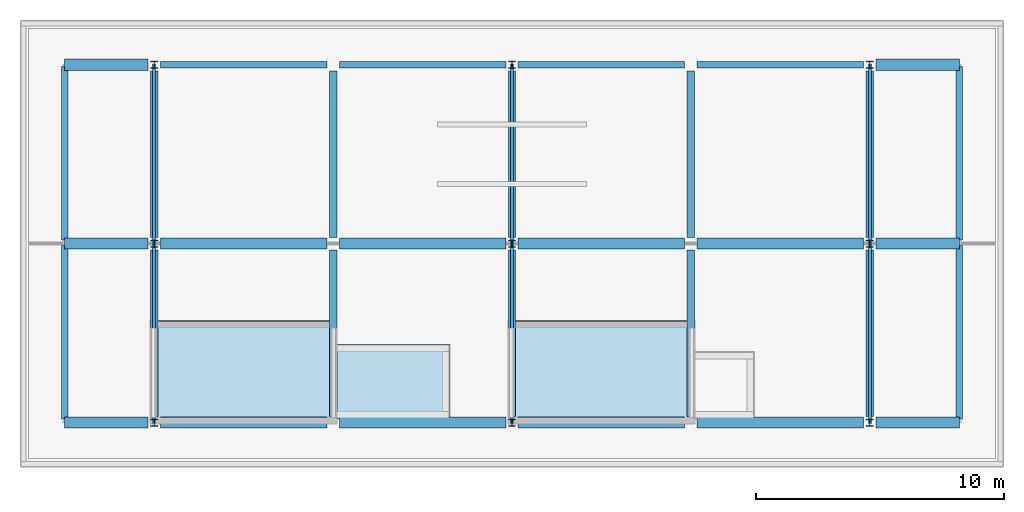
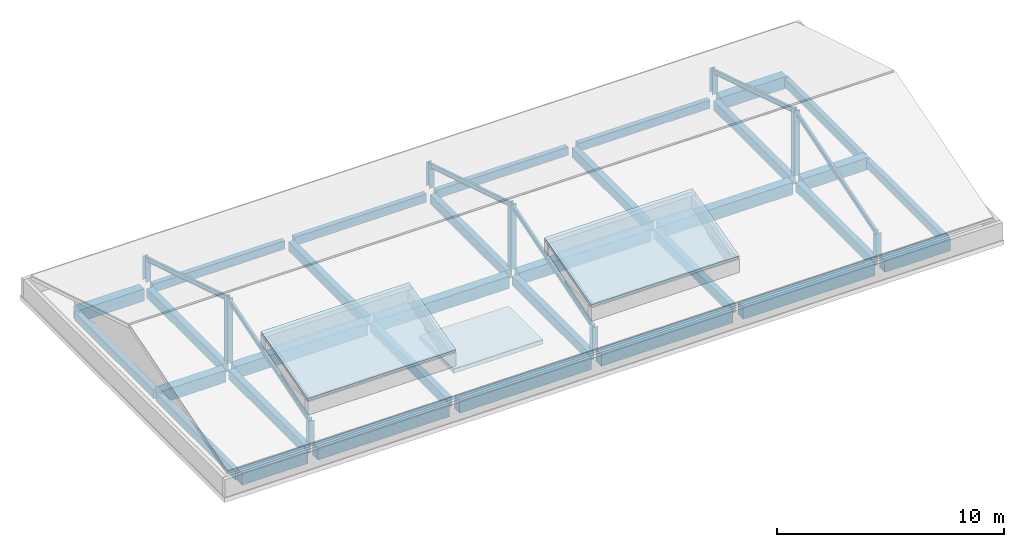
# One storey, part 1 of 3: 38 beams, 9 columns, 3 slabs.
"""IFC4 building model written with IfcOpenShell, lengths in metres."""

import ifcopenshell
import ifcopenshell.guid

model = None  # the IFC model being written
_history = None  # IfcOwnerHistory: only IFC2X3 demands one
_inside = {}  # id of a spatial element -> (the spatial element, [elements in it])
_under = {}  # id of a project, library or spatial element -> (it, [spatial elements below it])
_declared = {}  # id of a project -> (the project, [libraries it declares])
_typed = {}  # id of a type object -> (the type object, [elements of that type])
_made_of = {}  # id of a material, layer set ... -> (it, [elements and type objects made of it])


def new_model(schema):
    """Start an empty IFC model of exactly this schema.

    Asked for "IFC4X3", IfcOpenShell would pick the latest addendum, in which some entities
    have other attributes; the version numbers below select the first issue.
    IFC2X3 requires an IfcOwnerHistory on every rooted entity: one is made here for all.
    """
    global model, _history
    if schema == "IFC4X3":
        model = ifcopenshell.file(schema_version=(4, 3, 0, 0))
    else:
        model = ifcopenshell.file(schema=schema)
    _inside.clear()
    _under.clear()
    _declared.clear()
    _typed.clear()
    _made_of.clear()
    _history = None
    if model.schema == "IFC2X3":
        org = make("IfcOrganization", Name="unknown")
        user = make(
            "IfcPersonAndOrganization",
            ThePerson=make("IfcPerson", FamilyName="unknown"),
            TheOrganization=org,
        )
        app = make(
            "IfcApplication",
            ApplicationDeveloper=org,
            Version="unknown",
            ApplicationFullName="unknown",
            ApplicationIdentifier="unknown",
        )
        _history = make(
            "IfcOwnerHistory",
            OwningUser=user,
            OwningApplication=app,
            ChangeAction="ADDED",
            CreationDate=0,
        )
    return model


def make(cls, **values):
    """One entity of the class cls with the attributes given. An attribute that is None is left unset."""
    return model.create_entity(
        cls, **{name: value for name, value in values.items() if value is not None}
    )


def rooted(cls, **values):
    """An entity with a GlobalId (a new one), such as an element, a storey or a relation."""
    return make(cls, GlobalId=ifcopenshell.guid.new(), OwnerHistory=_history, **values)


def si_unit(unit_type, name, prefix=None):
    """IfcSIUnit, for example si_unit("LENGTHUNIT", "METRE", prefix="MILLI")."""
    return make("IfcSIUnit", UnitType=unit_type, Prefix=prefix, Name=name)


def assignment(units):
    """IfcUnitAssignment: the units of a project."""
    return None if units is None else make("IfcUnitAssignment", Units=units)


def point(xyz):
    """IfcCartesianPoint."""
    return None if xyz is None else make("IfcCartesianPoint", Coordinates=xyz)


def direction(xyz):
    """IfcDirection."""
    return None if xyz is None else make("IfcDirection", DirectionRatios=xyz)


def frame(location, z_axis=None, x_axis=None):
    """IfcAxis2Placement3D, a coordinate frame: its origin and axes. An axis left out is left unset."""
    return make(
        "IfcAxis2Placement3D",
        Location=point(location),
        Axis=direction(z_axis),
        RefDirection=direction(x_axis),
    )


def frame_2d(location, x_axis=None):
    """IfcAxis2Placement2D, a coordinate frame in the plane: its origin and x axis."""
    return make(
        "IfcAxis2Placement2D", Location=point(location), RefDirection=direction(x_axis)
    )


def origin():
    """The frame at (0, 0, 0) with its axes left unset."""
    return frame((0.0, 0.0, 0.0))


def origin_2d():
    """The frame at (0, 0) in the plane with its x axis left unset."""
    return frame_2d((0.0, 0.0))


def place(relative_to, where):
    """IfcLocalPlacement: puts the frame where relative to a parent placement (None: the world)."""
    return make(
        "IfcLocalPlacement", PlacementRelTo=relative_to, RelativePlacement=where
    )


def context(
    kind, dimensions, precision=None, world=None, true_north=None, identifier=None
):
    """IfcGeometricRepresentationContext, for example the 3D "Model" context."""
    return make(
        "IfcGeometricRepresentationContext",
        ContextIdentifier=identifier,
        ContextType=kind,
        CoordinateSpaceDimension=dimensions,
        Precision=precision,
        WorldCoordinateSystem=world,
        TrueNorth=true_north,
    )


def subcontext(parent, identifier, kind, view, scale=None):
    """IfcGeometricRepresentationSubContext, for example "Body" below "Model"."""
    return make(
        "IfcGeometricRepresentationSubContext",
        ContextIdentifier=identifier,
        ContextType=kind,
        ParentContext=parent,
        TargetScale=scale,
        TargetView=view,
    )


def project(units=None, contexts=None):
    """IfcProject with its units and contexts."""
    return rooted(
        "IfcProject",
        Name="project",
        RepresentationContexts=contexts,
        UnitsInContext=assignment(units),
    )


def spatial(cls, under=None, at=None, **own):
    """A site, building, storey or space (cls), placed at a placement, below another one or the project."""
    s = rooted(cls, ObjectPlacement=at, **own)
    if under is not None:
        _under.setdefault(under.id(), (under, []))[1].append(s)
    return s


def polyline(points):
    """IfcPolyline through the points."""
    return make("IfcPolyline", Points=[point(p) for p in points])


def profile(cls, at=None, kind="AREA", **sizes):
    """A parametric profile (cls). Its sizes go by their IFC names, for example OverallWidth=200.0."""
    return make(cls, ProfileType=kind, Position=at, **sizes)


def rectangle(**sizes):
    """IfcRectangleProfileDef."""
    return profile("IfcRectangleProfileDef", **sizes)


def i_section(**sizes):
    """IfcIShapeProfileDef."""
    return profile("IfcIShapeProfileDef", **sizes)


def outline(outer, holes=None, kind="AREA"):
    """IfcArbitraryClosedProfileDef: a profile drawn as a closed curve; with holes, ...WithVoids."""
    if holes is None:
        return make("IfcArbitraryClosedProfileDef", ProfileType=kind, OuterCurve=outer)
    return make(
        "IfcArbitraryProfileDefWithVoids",
        ProfileType=kind,
        OuterCurve=outer,
        InnerCurves=holes,
    )


def extrude(swept, where, along, depth):
    """IfcExtrudedAreaSolid: the profile swept, set in the frame where, extruded along a direction by depth."""
    return make(
        "IfcExtrudedAreaSolid",
        SweptArea=swept,
        Position=where,
        ExtrudedDirection=direction(along),
        Depth=depth,
    )


def shape(context_of_items, identifier, shape_type, items):
    """IfcShapeRepresentation: the items that make up one representation, for example the "Body"."""
    return make(
        "IfcShapeRepresentation",
        ContextOfItems=context_of_items,
        RepresentationIdentifier=identifier,
        RepresentationType=shape_type,
        Items=items,
    )


def material(Name=None, Category=None):
    """IfcMaterial."""
    return make("IfcMaterial", Name=Name, Category=Category)


def layer(
    of_material, thickness, ventilated=None, Name=None, Category=None, Priority=None
):
    """IfcMaterialLayer: one layer of a wall or slab, of a material (None: an air gap)."""
    return make(
        "IfcMaterialLayer",
        Material=of_material,
        LayerThickness=thickness,
        IsVentilated=ventilated,
        Name=Name,
        Category=Category,
        Priority=Priority,
    )


def layer_set(layers, Name=None):
    """IfcMaterialLayerSet."""
    return make("IfcMaterialLayerSet", MaterialLayers=layers, LayerSetName=Name)


def material_profile(
    of_material, cross_section, Name=None, Category=None, Priority=None
):
    """IfcMaterialProfile: a cross section and its material."""
    return make(
        "IfcMaterialProfile",
        Name=Name,
        Material=of_material,
        Profile=cross_section,
        Priority=Priority,
        Category=Category,
    )


def profile_set(profiles, Name=None, composite=None):
    """IfcMaterialProfileSet."""
    return make(
        "IfcMaterialProfileSet",
        Name=Name,
        MaterialProfiles=profiles,
        CompositeProfile=composite,
    )


def made_of(thing, what):
    """Note that an element or type object is made of a material, layer set ...; save() writes the relation."""
    if what is not None:
        _made_of.setdefault(what.id(), (what, []))[1].append(thing)
    return thing


def type_object(cls, material=None, **own):
    """A type object (cls), such as IfcWallType, which elements share."""
    return made_of(rooted(cls, **own), material)


def element(
    cls,
    number,
    at=None,
    inside=None,
    cuts=None,
    type_object=None,
    material=None,
    context=None,
    identifier="Body",
    shape_type=None,
    held_by="IfcProductDefinitionShape",
    body=None,
    shapes=None,
    **own,
):
    """One element of the class cls, such as IfcWall. Its Tag is "e" and its number.

    at: its placement. inside: the storey or other place that contains it. cuts: it is an
    opening in that element (IfcRelVoidsElement). A single representation is given by context,
    identifier, shape_type and body (its items); several are given by shapes. held_by: the class
    of the entity that holds the representations. save() writes the other relations.
    """
    e = rooted(cls, Tag="e%d" % number, ObjectPlacement=at, **own)
    if body is not None:
        shapes = [shape(context, identifier, shape_type, body)]
    if shapes is not None:
        e.Representation = make(held_by, Representations=shapes)
    if inside is not None:
        _inside.setdefault(inside.id(), (inside, []))[1].append(e)
    if cuts is not None:
        rooted(
            "IfcRelVoidsElement", RelatingBuildingElement=cuts, RelatedOpeningElement=e
        )
    if type_object is not None:
        _typed.setdefault(type_object.id(), (type_object, []))[1].append(e)
    return made_of(e, material)


def aggregate(whole, parts):
    """IfcRelAggregates: a whole, such as a stair, and the parts it consists of."""
    return rooted("IfcRelAggregates", RelatingObject=whole, RelatedObjects=parts)


def save(model, path):
    """Write the relations noted so far, then the file.

    IfcRelAggregates (storeys below a building ...), IfcRelContainedInSpatialStructure (elements
    in a storey), IfcRelDefinesByType, IfcRelAssociatesMaterial and IfcRelDeclares: one each for
    every whole, place, type object, material and project.
    """
    for whole, parts in _under.values():
        aggregate(whole, parts)
    for where, things in _inside.values():
        rooted(
            "IfcRelContainedInSpatialStructure",
            RelatedElements=things,
            RelatingStructure=where,
        )
    for kind, things in _typed.values():
        rooted("IfcRelDefinesByType", RelatedObjects=things, RelatingType=kind)
    for what, things in _made_of.values():
        rooted("IfcRelAssociatesMaterial", RelatedObjects=things, RelatingMaterial=what)
    for by, libraries in _declared.values():
        rooted("IfcRelDeclares", RelatingContext=by, RelatedDefinitions=libraries)
    model.write(path)


model = new_model("IFC4")

# Units and contexts
model_context = context("Model", 3, precision=1e-05, world=origin(), true_north=direction((0.0, 1.0)))
body_context = subcontext(model_context, "Body", "Model", "MODEL_VIEW")
ifc_project = project(units=[si_unit("LENGTHUNIT", "METRE"), si_unit("AREAUNIT", "SQUARE_METRE"), si_unit("VOLUMEUNIT", "CUBIC_METRE"), si_unit("PLANEANGLEUNIT", "RADIAN"), si_unit("MASSUNIT", "GRAM", prefix="KILO")], contexts=[model_context])

# Site, building, storey
site_placement = place(None, origin())
site = spatial("IfcSite", under=ifc_project, at=site_placement, CompositionType="ELEMENT")
building_placement = place(site_placement, origin())
building = spatial("IfcBuilding", under=site, at=building_placement, Name="Suanplinth Sawtooth Commons", CompositionType="ELEMENT")
storey_placement = place(building_placement, frame((0.0, 0.0, 54.10009765625)))
storey = spatial("IfcBuildingStorey", under=building, at=storey_placement, Name="RF", CompositionType="ELEMENT", Elevation=54.10009765625)

# Columns
ifc_material_1 = material(Name="Steel S355JR", Category="steel")
ifc_material_profile_1 = material_profile(ifc_material_1, i_section(OverallWidth=0.280029296875, OverallDepth=0.280029296875, WebThickness=0.010498046875, FlangeThickness=0.01806640625, at=origin_2d()), Name="HEB 280")
ifc_profile_set_1 = profile_set([ifc_material_profile_1], Name="Steel S355JR")
column_type = type_object("IfcColumnType", Name="C-11", PredefinedType="COLUMN", material=ifc_profile_set_1)
column_1_placement = place(storey_placement, frame((43.199951171875, 108.0, 0.0), z_axis=(0.0, 0.0, 1.0), x_axis=(1.0, 0.0, 0.0)))
element("IfcColumn", 1, at=column_1_placement, inside=storey, type_object=column_type, Name="Crown Post A 7", PredefinedType="COLUMN", context=body_context, shape_type="SweptSolid", body=[
    extrude(i_section(OverallWidth=0.280029296875, OverallDepth=0.280029296875, WebThickness=0.010498046875, FlangeThickness=0.01806640625, at=origin_2d()), origin(), (0.0, 0.0, 1.0), 1.27001953125),
])
column_2_placement = place(storey_placement, frame((43.199951171875, 115.199951171875, 0.0), z_axis=(0.0, 0.0, 1.0), x_axis=(1.0, 0.0, 0.0)))
element("IfcColumn", 2, at=column_2_placement, inside=storey, type_object=column_type, Name="Crown Post A 7", PredefinedType="COLUMN", context=body_context, shape_type="SweptSolid", body=[
    extrude(i_section(OverallWidth=0.280029296875, OverallDepth=0.280029296875, WebThickness=0.010498046875, FlangeThickness=0.01806640625, at=origin_2d()), origin(), (0.0, 0.0, 1.0), 3.5),
])
for number, where, z_axis, x_axis, name in (
    (3, (43.199951171875, 122.39990234375, 0.0), (0.0, 0.0, 1.0), (1.0, 0.0, 0.0), "Crown Post A 7"),
    (4, (57.60009765625, 108.0, 0.0), (0.0, 0.0, 1.0), (1.0, 0.0, 0.0), "Crown Post A 9"),
):
    element("IfcColumn", number, at=place(storey_placement, frame(where, z_axis=z_axis, x_axis=x_axis)), inside=storey, type_object=column_type, Name=name, PredefinedType="COLUMN", context=body_context, shape_type="SweptSolid", body=[
        extrude(i_section(OverallWidth=0.280029296875, OverallDepth=0.280029296875, WebThickness=0.010498046875, FlangeThickness=0.01806640625, at=origin_2d()), origin(), (0.0, 0.0, 1.0), 1.27001953125),
    ])
column_3_placement = place(storey_placement, frame((57.60009765625, 115.199951171875, 0.0), z_axis=(0.0, 0.0, 1.0), x_axis=(1.0, 0.0, 0.0)))
element("IfcColumn", 5, at=column_3_placement, inside=storey, type_object=column_type, Name="Crown Post A 9", PredefinedType="COLUMN", context=body_context, shape_type="SweptSolid", body=[
    extrude(i_section(OverallWidth=0.280029296875, OverallDepth=0.280029296875, WebThickness=0.010498046875, FlangeThickness=0.01806640625, at=origin_2d()), origin(), (0.0, 0.0, 1.0), 3.5),
])
for number, where, z_axis, x_axis, name in (
    (6, (57.60009765625, 122.39990234375, 0.0), (0.0, 0.0, 1.0), (1.0, 0.0, 0.0), "Crown Post A 9"),
    (7, (72.0, 108.0, 0.0), (0.0, 0.0, 1.0), (1.0, 0.0, 0.0), "Crown Post A 11"),
):
    element("IfcColumn", number, at=place(storey_placement, frame(where, z_axis=z_axis, x_axis=x_axis)), inside=storey, type_object=column_type, Name=name, PredefinedType="COLUMN", context=body_context, shape_type="SweptSolid", body=[
        extrude(i_section(OverallWidth=0.280029296875, OverallDepth=0.280029296875, WebThickness=0.010498046875, FlangeThickness=0.01806640625, at=origin_2d()), origin(), (0.0, 0.0, 1.0), 1.27001953125),
    ])
column_4_placement = place(storey_placement, frame((72.0, 115.199951171875, 0.0), z_axis=(0.0, 0.0, 1.0), x_axis=(1.0, 0.0, 0.0)))
element("IfcColumn", 8, at=column_4_placement, inside=storey, type_object=column_type, Name="Crown Post A 11", PredefinedType="COLUMN", context=body_context, shape_type="SweptSolid", body=[
    extrude(i_section(OverallWidth=0.280029296875, OverallDepth=0.280029296875, WebThickness=0.010498046875, FlangeThickness=0.01806640625, at=origin_2d()), origin(), (0.0, 0.0, 1.0), 3.5),
])
column_5_placement = place(storey_placement, frame((72.0, 122.39990234375, 0.0), z_axis=(0.0, 0.0, 1.0), x_axis=(1.0, 0.0, 0.0)))
element("IfcColumn", 9, at=column_5_placement, inside=storey, type_object=column_type, Name="Crown Post A 11", PredefinedType="COLUMN", context=body_context, shape_type="SweptSolid", body=[
    extrude(i_section(OverallWidth=0.280029296875, OverallDepth=0.280029296875, WebThickness=0.010498046875, FlangeThickness=0.01806640625, at=origin_2d()), origin(), (0.0, 0.0, 1.0), 1.27001953125),
])

# Beams
ifc_material_2 = material(Name="Precast concrete C40/50", Category="concrete")
ifc_material_profile_2 = material_profile(ifc_material_2, rectangle(XDim=0.449951171875, YDim=0.64990234375, at=origin_2d()), Name="PC-GDR 450x650")
ifc_profile_set_2 = profile_set([ifc_material_profile_2], Name="Precast concrete C40/50")
beam_type_1 = type_object("IfcBeamType", Name="B-04", PredefinedType="USERDEFINED", material=ifc_profile_set_2)
for number, where, z_axis, x_axis, name in (
    (10, (43.449951171875, 108.0, -0.565185546875), (1.0, 0.0, 0.0), (0.0, 1.0, 0.0), "BMX-RF-A-6-15"),
    (11, (43.449951171875, 115.199951171875, -0.565185546875), (1.0, 0.0, 0.0), (0.0, 1.0, 0.0), "BMX-RF-A-6-16"),
):
    element("IfcBeam", number, at=place(storey_placement, frame(where, z_axis=z_axis, x_axis=x_axis)), inside=storey, type_object=beam_type_1, Name=name, ObjectType="GIRDER", PredefinedType="USERDEFINED", context=body_context, shape_type="SweptSolid", body=[
        extrude(rectangle(XDim=0.449951171875, YDim=0.64990234375, at=origin_2d()), origin(), (0.0, 0.0, 1.0), 6.699951171875),
    ])
for number, where, z_axis, x_axis, name in (
    (12, (50.64990234375, 108.0, -0.565185546875), (1.0, 0.0, 0.0), (0.0, 1.0, 0.0), "BMX-RF-A-7-15"),
    (13, (50.64990234375, 115.199951171875, -0.565185546875), (1.0, 0.0, 0.0), (0.0, 1.0, 0.0), "BMX-RF-A-7-16"),
):
    element("IfcBeam", number, at=place(storey_placement, frame(where, z_axis=z_axis, x_axis=x_axis)), inside=storey, type_object=beam_type_1, Name=name, ObjectType="GIRDER", PredefinedType="USERDEFINED", context=body_context, shape_type="SweptSolid", body=[
        extrude(rectangle(XDim=0.449951171875, YDim=0.64990234375, at=origin_2d()), origin(), (0.0, 0.0, 1.0), 6.7001953125),
    ])
for number, where, z_axis, x_axis, name in (
    (14, (57.85009765625, 108.0, -0.565185546875), (1.0, 0.0, 0.0), (0.0, 1.0, 0.0), "BMX-RF-A-8-15"),
    (15, (57.85009765625, 115.199951171875, -0.565185546875), (1.0, 0.0, 0.0), (0.0, 1.0, 0.0), "BMX-RF-A-8-16"),
    (16, (65.050048828125, 108.0, -0.565185546875), (1.0, 0.0, 0.0), (0.0, 1.0, 0.0), "BMX-RF-A-9-15"),
    (17, (65.050048828125, 115.199951171875, -0.565185546875), (1.0, 0.0, 0.0), (0.0, 1.0, 0.0), "BMX-RF-A-9-16"),
):
    element("IfcBeam", number, at=place(storey_placement, frame(where, z_axis=z_axis, x_axis=x_axis)), inside=storey, type_object=beam_type_1, Name=name, ObjectType="GIRDER", PredefinedType="USERDEFINED", context=body_context, shape_type="SweptSolid", body=[
        extrude(rectangle(XDim=0.449951171875, YDim=0.64990234375, at=origin_2d()), origin(), (0.0, 0.0, 1.0), 6.699951171875),
    ])
for number, where, z_axis, x_axis, name in (
    (18, (42.949951171875, 108.0, -0.565185546875), (-1.0, 0.0, 0.0), (0.0, -1.0, 0.0), "BMX-RF-A-WCANT-15"),
    (19, (42.949951171875, 115.199951171875, -0.565185546875), (-1.0, 0.0, 0.0), (0.0, -1.0, 0.0), "BMX-RF-A-WCANT-16"),
    (20, (42.949951171875, 122.39990234375, -0.565185546875), (-1.0, 0.0, 0.0), (0.0, -1.0, 0.0), "BMX-RF-A-WCANT-17"),
):
    element("IfcBeam", number, at=place(storey_placement, frame(where, z_axis=z_axis, x_axis=x_axis)), inside=storey, type_object=beam_type_1, Name=name, ObjectType="GIRDER", PredefinedType="USERDEFINED", context=body_context, shape_type="SweptSolid", body=[
        extrude(rectangle(XDim=0.449951171875, YDim=0.64990234375, at=origin_2d()), origin(), (0.0, 0.0, 1.0), 3.349853515625),
    ])
for number, where, z_axis, x_axis, name in (
    (21, (72.25, 108.0, -0.565185546875), (1.0, 0.0, 0.0), (0.0, 1.0, 0.0), "BMX-RF-A-ECANT-15"),
    (22, (72.25, 115.199951171875, -0.565185546875), (1.0, 0.0, 0.0), (0.0, 1.0, 0.0), "BMX-RF-A-ECANT-16"),
    (23, (72.25, 122.39990234375, -0.565185546875), (1.0, 0.0, 0.0), (0.0, 1.0, 0.0), "BMX-RF-A-ECANT-17"),
):
    element("IfcBeam", number, at=place(storey_placement, frame(where, z_axis=z_axis, x_axis=x_axis)), inside=storey, type_object=beam_type_1, Name=name, ObjectType="GIRDER", PredefinedType="USERDEFINED", context=body_context, shape_type="SweptSolid", body=[
        extrude(rectangle(XDim=0.449951171875, YDim=0.64990234375, at=origin_2d()), origin(), (0.0, 0.0, 1.0), 3.35009765625),
    ])
ifc_material_profile_3 = material_profile(ifc_material_2, rectangle(XDim=0.300048828125, YDim=0.5, at=origin_2d()), Name="PC-BM 300x500")
ifc_profile_set_3 = profile_set([ifc_material_profile_3], Name="Precast concrete C40/50")
beam_type_2 = type_object("IfcBeamType", Name="B-07", PredefinedType="BEAM", material=ifc_profile_set_3)
for number, where, z_axis, x_axis, name in (
    (24, (43.199951171875, 108.25, -0.489990234375), (0.0, 1.0, 0.0), (-1.0, 0.0, 0.0), "BMY-RF-A-6-15"),
    (25, (43.199951171875, 115.449951171875, -0.489990234375), (0.0, 1.0, 0.0), (-1.0, 0.0, 0.0), "BMY-RF-A-6-16"),
    (26, (50.39990234375, 108.25, -0.489990234375), (0.0, 1.0, 0.0), (-1.0, 0.0, 0.0), "BMY-RF-A-7-15"),
    (27, (50.39990234375, 115.449951171875, -0.489990234375), (0.0, 1.0, 0.0), (-1.0, 0.0, 0.0), "BMY-RF-A-7-16"),
    (28, (57.60009765625, 108.25, -0.489990234375), (0.0, 1.0, 0.0), (-1.0, 0.0, 0.0), "BMY-RF-A-8-15"),
    (29, (57.60009765625, 115.449951171875, -0.489990234375), (0.0, 1.0, 0.0), (-1.0, 0.0, 0.0), "BMY-RF-A-8-16"),
    (30, (64.800048828125, 108.25, -0.489990234375), (0.0, 1.0, 0.0), (-1.0, 0.0, 0.0), "BMY-RF-A-9-15"),
    (31, (64.800048828125, 115.449951171875, -0.489990234375), (0.0, 1.0, 0.0), (-1.0, 0.0, 0.0), "BMY-RF-A-9-16"),
    (32, (72.0, 108.25, -0.489990234375), (0.0, 1.0, 0.0), (-1.0, 0.0, 0.0), "BMY-RF-A-10-15"),
    (33, (72.0, 115.449951171875, -0.489990234375), (0.0, 1.0, 0.0), (-1.0, 0.0, 0.0), "BMY-RF-A-10-16"),
):
    element("IfcBeam", number, at=place(storey_placement, frame(where, z_axis=z_axis, x_axis=x_axis)), inside=storey, type_object=beam_type_2, Name=name, PredefinedType="BEAM", context=body_context, shape_type="SweptSolid", body=[
        extrude(rectangle(XDim=0.300048828125, YDim=0.5, at=origin_2d()), origin(), (0.0, 0.0, 1.0), 6.699951171875),
    ])
ifc_material_profile_4 = material_profile(ifc_material_2, rectangle(XDim=0.25, YDim=0.449951171875, at=origin_2d()), Name="PC-SP 250x450")
ifc_profile_set_4 = profile_set([ifc_material_profile_4], Name="Precast concrete C40/50")
beam_type_3 = type_object("IfcBeamType", Name="B-09", PredefinedType="SPANDREL", material=ifc_profile_set_4)
beam_1_placement = place(storey_placement, frame((43.449951171875, 122.39990234375, -0.465087890625), z_axis=(1.0, 0.0, 0.0), x_axis=(0.0, 1.0, 0.0)))
element("IfcBeam", 34, at=beam_1_placement, inside=storey, type_object=beam_type_3, Name="BMX-RF-A-6-17", PredefinedType="SPANDREL", context=body_context, shape_type="SweptSolid", body=[
    extrude(rectangle(XDim=0.25, YDim=0.449951171875, at=origin_2d()), origin(), (0.0, 0.0, 1.0), 6.699951171875),
])
beam_2_placement = place(storey_placement, frame((50.64990234375, 122.39990234375, -0.465087890625), z_axis=(1.0, 0.0, 0.0), x_axis=(0.0, 1.0, 0.0)))
element("IfcBeam", 35, at=beam_2_placement, inside=storey, type_object=beam_type_3, Name="BMX-RF-A-7-17", PredefinedType="SPANDREL", context=body_context, shape_type="SweptSolid", body=[
    extrude(rectangle(XDim=0.25, YDim=0.449951171875, at=origin_2d()), origin(), (0.0, 0.0, 1.0), 6.7001953125),
])
for number, where, z_axis, x_axis, name in (
    (36, (57.85009765625, 122.39990234375, -0.465087890625), (1.0, 0.0, 0.0), (0.0, 1.0, 0.0), "BMX-RF-A-8-17"),
    (37, (65.050048828125, 122.39990234375, -0.465087890625), (1.0, 0.0, 0.0), (0.0, 1.0, 0.0), "BMX-RF-A-9-17"),
):
    element("IfcBeam", number, at=place(storey_placement, frame(where, z_axis=z_axis, x_axis=x_axis)), inside=storey, type_object=beam_type_3, Name=name, PredefinedType="SPANDREL", context=body_context, shape_type="SweptSolid", body=[
        extrude(rectangle(XDim=0.25, YDim=0.449951171875, at=origin_2d()), origin(), (0.0, 0.0, 1.0), 6.699951171875),
    ])
beam_3_placement = place(storey_placement, frame((39.60009765625, 108.139892578125, -0.565185546875), z_axis=(0.0, 1.0, 0.0), x_axis=(-1.0, 0.0, 0.0)))
element("IfcBeam", 38, at=beam_3_placement, inside=storey, type_object=beam_type_3, Name="BMY-RF-A-STEP-396-15", PredefinedType="SPANDREL", context=body_context, shape_type="SweptSolid", body=[
    extrude(rectangle(XDim=0.25, YDim=0.449951171875, at=origin_2d()), origin(), (0.0, 0.0, 1.0), 6.980224609375),
])
beam_4_placement = place(storey_placement, frame((39.60009765625, 115.340087890625, -0.565185546875), z_axis=(0.0, 1.0, 0.0), x_axis=(-1.0, 0.0, 0.0)))
element("IfcBeam", 39, at=beam_4_placement, inside=storey, type_object=beam_type_3, Name="BMY-RF-A-STEP-396-16", PredefinedType="SPANDREL", context=body_context, shape_type="SweptSolid", body=[
    extrude(rectangle(XDim=0.25, YDim=0.449951171875, at=origin_2d()), origin(), (0.0, 0.0, 1.0), 6.97998046875),
])
beam_5_placement = place(storey_placement, frame((75.60009765625, 108.139892578125, -0.565185546875), z_axis=(0.0, 1.0, 0.0), x_axis=(-1.0, 0.0, 0.0)))
element("IfcBeam", 40, at=beam_5_placement, inside=storey, type_object=beam_type_3, Name="BMY-RF-A-STEP-756-15", PredefinedType="SPANDREL", context=body_context, shape_type="SweptSolid", body=[
    extrude(rectangle(XDim=0.25, YDim=0.449951171875, at=origin_2d()), origin(), (0.0, 0.0, 1.0), 6.980224609375),
])
beam_6_placement = place(storey_placement, frame((75.60009765625, 115.340087890625, -0.565185546875), z_axis=(0.0, 1.0, 0.0), x_axis=(-1.0, 0.0, 0.0)))
element("IfcBeam", 41, at=beam_6_placement, inside=storey, type_object=beam_type_3, Name="BMY-RF-A-STEP-756-16", PredefinedType="SPANDREL", context=body_context, shape_type="SweptSolid", body=[
    extrude(rectangle(XDim=0.25, YDim=0.449951171875, at=origin_2d()), origin(), (0.0, 0.0, 1.0), 6.97998046875),
])
ifc_material_3 = material(Name="Steel SS400", Category="steel")
ifc_material_profile_5 = material_profile(ifc_material_3, i_section(OverallWidth=0.1201171875, OverallDepth=0.239990234375, WebThickness=0.006103515625, FlangeThickness=0.009765625, at=origin_2d()), Name="IPE 240")
ifc_profile_set_5 = profile_set([ifc_material_profile_5], Name="Steel SS400")
beam_type_4 = type_object("IfcBeamType", Name="B-14", PredefinedType="BEAM", material=ifc_profile_set_5)
for number, where, z_axis, x_axis, name in (
    (42, (43.199951171875, 108.0, 1.14990234375), (0.0, 0.955232505133, 0.295856149398), (-1.0, 0.0, 0.0), "Crown Rafter S A 7"),
    (43, (43.199951171875, 122.39990234375, 1.14990234375), (0.0, -0.955232505133, 0.295856149398), (1.0, 0.0, 0.0), "Crown Rafter N A 7"),
    (44, (57.60009765625, 108.0, 1.14990234375), (0.0, 0.955232505133, 0.295856149398), (-1.0, 0.0, 0.0), "Crown Rafter S A 9"),
    (45, (57.60009765625, 122.39990234375, 1.14990234375), (0.0, -0.955232505133, 0.295856149398), (1.0, 0.0, 0.0), "Crown Rafter N A 9"),
    (46, (72.0, 108.0, 1.14990234375), (0.0, 0.955232505133, 0.295856149398), (-1.0, 0.0, 0.0), "Crown Rafter S A 11"),
    (47, (72.0, 122.39990234375, 1.14990234375), (0.0, -0.955232505133, 0.295856149398), (1.0, 0.0, 0.0), "Crown Rafter N A 11"),
):
    element("IfcBeam", number, at=place(storey_placement, frame(where, z_axis=z_axis, x_axis=x_axis)), inside=storey, type_object=beam_type_4, Name=name, PredefinedType="BEAM", context=body_context, shape_type="SweptSolid", body=[
        extrude(i_section(OverallWidth=0.1201171875, OverallDepth=0.239990234375, WebThickness=0.006103515625, FlangeThickness=0.009765625, at=origin_2d()), origin(), (0.0, 0.0, 1.0), 7.537353515625),
    ])

# Slabs
ifc_material_4 = material(Name="Concrete C40/50", Category="concrete")
ifc_layer_1 = layer(ifc_material_4, 0.22998046875, Name="Reinforced concrete lift overrun roof slab 230mm")
ifc_layer_set_1 = layer_set([ifc_layer_1], Name="Concrete C40/50")
slab_type_1 = type_object("IfcSlabType", Name="S-OR01", PredefinedType="ROOF", material=ifc_layer_set_1)
slab_placement = place(storey_placement, frame((0.0, 0.0, 1.0498046875)))
element("IfcSlab", 48, at=slab_placement, inside=storey, type_object=slab_type_1, Name="Lift Overrun Roof Slab FL1-LF1", PredefinedType="ROOF", context=body_context, shape_type="SweptSolid", body=[
    extrude(outline(polyline([(50.56494140625, 108.14990234375), (55.10009765625, 108.14990234375), (55.10009765625, 111.14990234375), (50.56494140625, 111.14990234375), (50.56494140625, 108.14990234375)])), origin(), (0.0, 0.0, 1.0), 0.22998046875),
])
ifc_material_5 = material(Name="Concrete C35/45", Category="concrete")
ifc_layer_2 = layer(ifc_material_5, 0.159912109375, Name="Market gable & breezeway canopy roof slab 160mm")
ifc_layer_set_2 = layer_set([ifc_layer_2], Name="Concrete C35/45")
slab_type_2 = type_object("IfcSlabType", Name="S-RF03", PredefinedType="ROOF", material=ifc_layer_set_2)
for number, where, z_axis, x_axis, name in (
    (49, (43.034912109375, 107.93505859375, 2.4599609375), (0.0, -0.26171225198, 0.965145946043), (1.0, 0.0, 0.0), "Stair ST-N1 Roof Headhouse Roof"),
    (50, (57.43505859375, 107.93505859375, 2.4599609375), (0.0, -0.26171225198, 0.965145946043), (1.0, 0.0, 0.0), "Stair ST-N2 Roof Headhouse Roof"),
):
    element("IfcSlab", number, at=place(storey_placement, frame(where, z_axis=z_axis, x_axis=x_axis)), inside=storey, type_object=slab_type_2, Name=name, PredefinedType="ROOF", context=body_context, shape_type="SweptSolid", body=[
        extrude(outline(polyline([(0.0, 0.0), (7.530029296875, 0.0), (7.530029296875, 4.279024151147082), (0.0, 4.279024151147082), (0.0, 0.0)])), origin(), (0.0, 0.0, -1.0), 0.159912109375),
    ])

save(model, "model.ifc")
